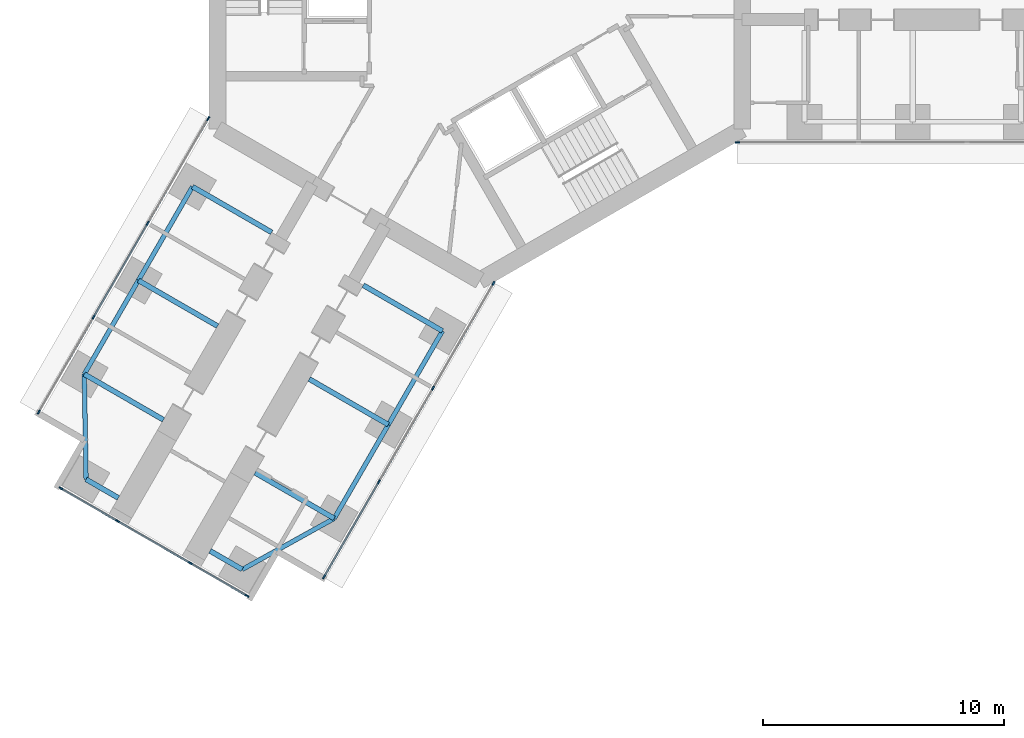
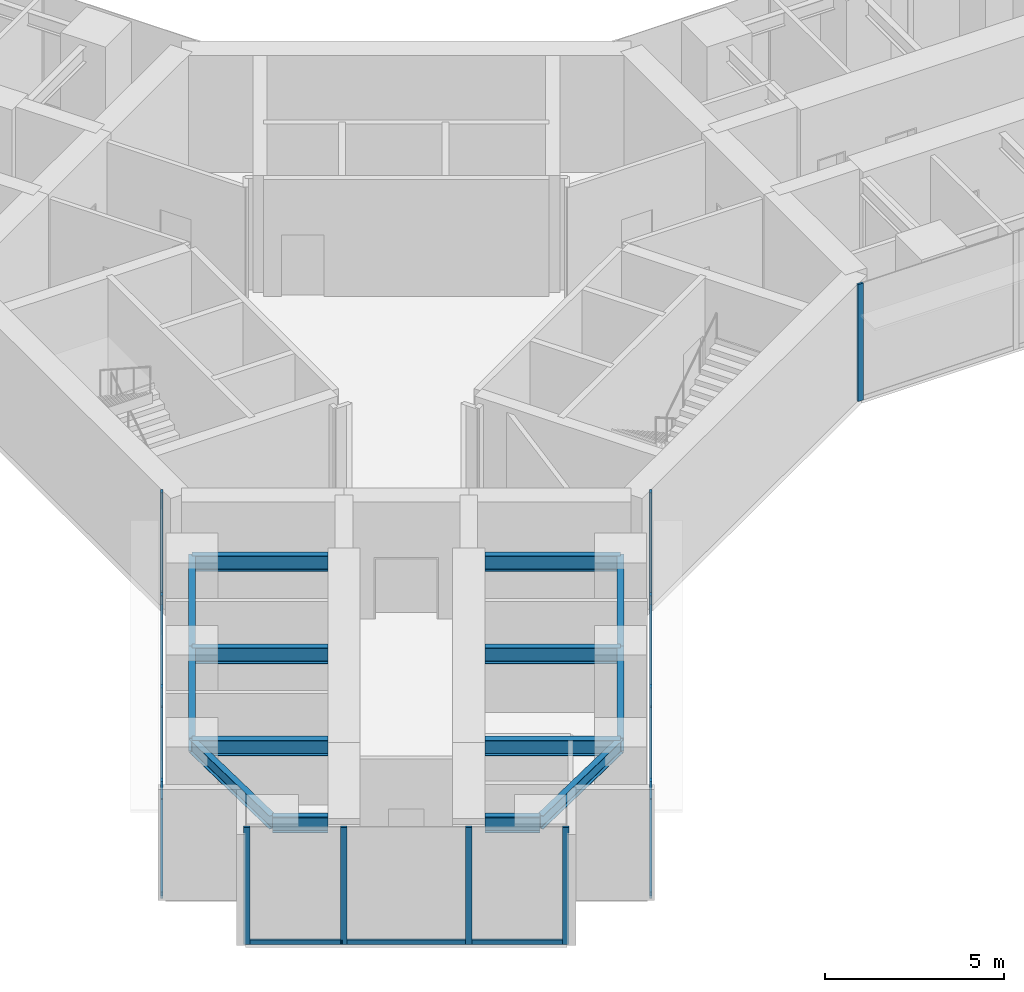
# One storey, part 2 of 24: 22 members, 14 beams, 4 elements without a shape of their own.
"""IFC4 building model written with IfcOpenShell, lengths in metres."""

from ifc_helpers import new_model, si_unit, direction, frame, origin, origin_2d, place, context, subcontext, project, spatial, rectangle, i_section, extrude, material, material_profile, profile_set, type_object, element, aggregate, save


model = new_model("IFC4")

# Units and contexts
model_context = context("Model", 3, precision=1e-05, world=origin(), true_north=direction((0.0, 1.0)))
body_context = subcontext(model_context, "Body", "Model", "MODEL_VIEW")
ifc_project = project(units=[si_unit("LENGTHUNIT", "METRE"), si_unit("AREAUNIT", "SQUARE_METRE"), si_unit("VOLUMEUNIT", "CUBIC_METRE"), si_unit("PLANEANGLEUNIT", "RADIAN"), si_unit("MASSUNIT", "GRAM", prefix="KILO")], contexts=[model_context])

# Site, building, storey
site_placement = place(None, origin())
site = spatial("IfcSite", under=ifc_project, at=site_placement, CompositionType="ELEMENT")
building_placement = place(site_placement, origin())
building = spatial("IfcBuilding", under=site, at=building_placement, Name="Upepo Twin Towers", CompositionType="ELEMENT")
storey_placement = place(building_placement, frame((0.0, 0.0, 56.5)))
storey = spatial("IfcBuildingStorey", under=building, at=storey_placement, Name="L13", CompositionType="ELEMENT", Elevation=56.5)

# Beams
ifc_material_1 = material(Name="Steel S355", Category="steel")
ifc_material_profile_1 = material_profile(ifc_material_1, i_section(OverallWidth=0.1904296875, OverallDepth=0.45703125, WebThickness=0.009033203125, FlangeThickness=0.014404296875, FilletRadius=0.01025390625, at=origin_2d()), Name="UB 457x191x74")
ifc_profile_set_1 = profile_set([ifc_material_profile_1], Name="Steel S355")
beam_type_1 = type_object("IfcBeamType", Name="Beam UB 457x191x74", PredefinedType="BEAM", material=ifc_profile_set_1)
beam_1_placement = place(storey_placement, frame((-1.553955078125, -14.69140625, 3.571533203125), z_axis=(-0.500013631625, -0.866017533419, 0.0), x_axis=(0.866017533419, -0.500013631625, 0.0)))
element("IfcBeam", 1, at=beam_1_placement, inside=storey, type_object=beam_type_1, Name="T1 edge beam CL 13.5-18.0", PredefinedType="BEAM", context=body_context, shape_type="SweptSolid", body=[
    extrude(i_section(OverallWidth=0.1904296875, OverallDepth=0.45703125, WebThickness=0.009033203125, FlangeThickness=0.014404296875, FilletRadius=0.01025390625, at=origin_2d()), origin(), (0.0, 0.0, 1.0), 4.499755859375),
])
beam_2_placement = place(storey_placement, frame((-3.803955078125, -18.58837890625, 3.571533203125), z_axis=(-0.499990139034, -0.866031096941, 0.0), x_axis=(0.866031096941, -0.499990139034, 0.0)))
element("IfcBeam", 2, at=beam_2_placement, inside=storey, type_object=beam_type_1, Name="T1 edge beam CL 18.0-22.5", PredefinedType="BEAM", context=body_context, shape_type="SweptSolid", body=[
    extrude(i_section(OverallWidth=0.1904296875, OverallDepth=0.45703125, WebThickness=0.009033203125, FlangeThickness=0.014404296875, FilletRadius=0.01025390625, at=origin_2d()), origin(), (0.0, 0.0, 1.0), 4.5),
])
beam_3_placement = place(storey_placement, frame((-6.053955078125, -22.485595703125, 3.571533203125), z_axis=(-0.874312600038, -0.485363242752, 0.0), x_axis=(0.485363242752, -0.874312600038, 0.0)))
element("IfcBeam", 3, at=beam_3_placement, inside=storey, type_object=beam_type_1, Name="T1 nose edge beam CL", PredefinedType="BEAM", context=body_context, shape_type="SweptSolid", body=[
    extrude(i_section(OverallWidth=0.1904296875, OverallDepth=0.45703125, WebThickness=0.009033203125, FlangeThickness=0.014404296875, FilletRadius=0.01025390625, at=origin_2d()), origin(), (0.0, 0.0, 1.0), 4.373046875),
])
beam_4_placement = place(storey_placement, frame((-11.946044921875, -8.69140625, 3.571533203125), z_axis=(-0.500013631625, -0.866017533419, 0.0), x_axis=(0.866017533419, -0.500013631625, 0.0)))
element("IfcBeam", 4, at=beam_4_placement, inside=storey, type_object=beam_type_1, Name="T1 edge beam CR 13.5-18.0", PredefinedType="BEAM", context=body_context, shape_type="SweptSolid", body=[
    extrude(i_section(OverallWidth=0.1904296875, OverallDepth=0.45703125, WebThickness=0.009033203125, FlangeThickness=0.014404296875, FilletRadius=0.01025390625, at=origin_2d()), origin(), (0.0, 0.0, 1.0), 4.499755859375),
])
beam_5_placement = place(storey_placement, frame((-14.196044921875, -12.58837890625, 3.571533203125), z_axis=(-0.499990139034, -0.866031096941, 0.0), x_axis=(0.866031096941, -0.499990139034, 0.0)))
element("IfcBeam", 5, at=beam_5_placement, inside=storey, type_object=beam_type_1, Name="T1 edge beam CR 18.0-22.5", PredefinedType="BEAM", context=body_context, shape_type="SweptSolid", body=[
    extrude(i_section(OverallWidth=0.1904296875, OverallDepth=0.45703125, WebThickness=0.009033203125, FlangeThickness=0.014404296875, FilletRadius=0.01025390625, at=origin_2d()), origin(), (0.0, 0.0, 1.0), 4.5),
])
beam_6_placement = place(storey_placement, frame((-16.446044921875, -16.485595703125, 3.571533203125), z_axis=(0.016803880528, -0.999858804832, 0.0), x_axis=(0.999858804832, 0.016803880528, 0.0)))
element("IfcBeam", 6, at=beam_6_placement, inside=storey, type_object=beam_type_1, Name="T1 nose edge beam CR", PredefinedType="BEAM", context=body_context, shape_type="SweptSolid", body=[
    extrude(i_section(OverallWidth=0.1904296875, OverallDepth=0.45703125, WebThickness=0.009033203125, FlangeThickness=0.014404296875, FilletRadius=0.01025390625, at=origin_2d()), origin(), (0.0, 0.0, 1.0), 4.373291015625),
])
ifc_material_2 = material(Name="Steel S355", Category="steel")
ifc_material_profile_2 = material_profile(ifc_material_2, i_section(OverallWidth=0.2119140625, OverallDepth=0.54443359375, WebThickness=0.0126953125, FlangeThickness=0.021240234375, FilletRadius=0.0126953125, at=origin_2d()), Name="UB 533x210x122")
ifc_profile_set_2 = profile_set([ifc_material_profile_2], Name="Steel S355")
beam_type_2 = type_object("IfcBeamType", Name="Beam UB 533x210x122", PredefinedType="BEAM", material=ifc_profile_set_2)
for number, where, z_axis, x_axis, name in (
    (7, (-9.87744140625, -24.608154296875, 3.52783203125), (-0.866043940782, 0.499967891604, 0.0), (-0.499967891604, -0.866043940782, 0.0), "T1 nose beam CL"),
    (8, (-16.37255859375, -20.858154296875, 3.52783203125), (0.866043940782, -0.499967891604, 0.0), (0.499967891604, 0.866043940782, 0.0), "T1 nose beam CR"),
):
    element("IfcBeam", number, at=place(storey_placement, frame(where, z_axis=z_axis, x_axis=x_axis)), inside=storey, type_object=beam_type_2, Name=name, PredefinedType="BEAM", context=body_context, shape_type="SweptSolid", body=[
        extrude(i_section(OverallWidth=0.2119140625, OverallDepth=0.54443359375, WebThickness=0.0126953125, FlangeThickness=0.021240234375, FilletRadius=0.0126953125, at=origin_2d()), origin(), (0.0, 0.0, 1.0), 1.5498046875),
    ])
ifc_material_3 = material(Name="Steel S355", Category="steel")
ifc_material_profile_3 = material_profile(ifc_material_3, i_section(OverallWidth=0.209228515625, OverallDepth=0.533203125, WebThickness=0.010009765625, FlangeThickness=0.015625, FilletRadius=0.0126953125, at=origin_2d()), Name="UB 533x210x92")
ifc_profile_set_3 = profile_set([ifc_material_profile_3], Name="Steel S355")
beam_type_3 = type_object("IfcBeamType", Name="Beam UB 533x210x92", PredefinedType="BEAM", material=ifc_profile_set_3)
beam_7_placement = place(storey_placement, frame((-1.553955078125, -14.69140625, 3.533447265625), z_axis=(-0.866000483506, 0.500043160704, 0.0), x_axis=(-0.500043160704, -0.866000483506, 0.0)))
element("IfcBeam", 9, at=beam_7_placement, inside=storey, type_object=beam_type_3, Name="T1 girder CL at 13.5", PredefinedType="BEAM", context=body_context, shape_type="SweptSolid", body=[
    extrude(i_section(OverallWidth=0.209228515625, OverallDepth=0.533203125, WebThickness=0.010009765625, FlangeThickness=0.015625, FilletRadius=0.0126953125, at=origin_2d()), origin(), (0.0, 0.0, 1.0), 3.800048828125),
])
for number, where, z_axis, x_axis, name in (
    (10, (-3.803955078125, -18.58837890625, 3.533447265625), (-0.866028304915, 0.499994975061, 0.0), (-0.499994975061, -0.866028304915, 0.0), "T1 girder CL at 18.0"),
    (11, (-6.053955078125, -22.485595703125, 3.533447265625), (-0.866028304915, 0.499994975061, 0.0), (-0.499994975061, -0.866028304915, 0.0), "T1 girder CL at 22.5"),
    (12, (-11.946044921875, -8.69140625, 3.533447265625), (0.866028304915, -0.499994975061, 0.0), (0.499994975061, 0.866028304915, 0.0), "T1 girder CR at 13.5"),
):
    element("IfcBeam", number, at=place(storey_placement, frame(where, z_axis=z_axis, x_axis=x_axis)), inside=storey, type_object=beam_type_3, Name=name, PredefinedType="BEAM", context=body_context, shape_type="SweptSolid", body=[
        extrude(i_section(OverallWidth=0.209228515625, OverallDepth=0.533203125, WebThickness=0.010009765625, FlangeThickness=0.015625, FilletRadius=0.0126953125, at=origin_2d()), origin(), (0.0, 0.0, 1.0), 3.7998046875),
    ])
beam_8_placement = place(storey_placement, frame((-14.196044921875, -12.58837890625, 3.533447265625), z_axis=(0.866000483506, -0.500043160704, 0.0), x_axis=(0.500043160704, 0.866000483506, 0.0)))
element("IfcBeam", 13, at=beam_8_placement, inside=storey, type_object=beam_type_3, Name="T1 girder CR at 18.0", PredefinedType="BEAM", context=body_context, shape_type="SweptSolid", body=[
    extrude(i_section(OverallWidth=0.209228515625, OverallDepth=0.533203125, WebThickness=0.010009765625, FlangeThickness=0.015625, FilletRadius=0.0126953125, at=origin_2d()), origin(), (0.0, 0.0, 1.0), 3.800048828125),
])
beam_9_placement = place(storey_placement, frame((-16.446044921875, -16.485595703125, 3.533447265625), z_axis=(0.866028304915, -0.499994975061, 0.0), x_axis=(0.499994975061, 0.866028304915, 0.0)))
element("IfcBeam", 14, at=beam_9_placement, inside=storey, type_object=beam_type_3, Name="T1 girder CR at 22.5", PredefinedType="BEAM", context=body_context, shape_type="SweptSolid", body=[
    extrude(i_section(OverallWidth=0.209228515625, OverallDepth=0.533203125, WebThickness=0.010009765625, FlangeThickness=0.015625, FilletRadius=0.0126953125, at=origin_2d()), origin(), (0.0, 0.0, 1.0), 3.7998046875),
])

# Curtain wall, member
ifc_material_4 = material(Name="Aluminium and fritted glass", Category="aluminium")
curtain_wall_type = type_object("IfcCurtainWallType", Name="Tower curtain wall TW1, fritted glass", PredefinedType="NOTDEFINED", material=ifc_material_4)
curtain_wall_1_placement = place(storey_placement, origin())
curtain_wall_1 = element("IfcCurtainWall", 15, at=curtain_wall_1_placement, inside=storey, type_object=curtain_wall_type, Name="T1 L13 wing A flank R curtain wall", PredefinedType="NOTDEFINED")
ifc_material_5 = material(Name="Aluminium mullion", Category="aluminium")
ifc_material_profile_4 = material_profile(ifc_material_5, rectangle(XDim=0.06494140625, YDim=0.179931640625, at=origin_2d()), Name="MULLION 65x180")
ifc_profile_set_4 = profile_set([ifc_material_profile_4], Name="Aluminium mullion")
member_type_1 = type_object("IfcMemberType", Name="Mullion 65x180 TW1", PredefinedType="MULLION", material=ifc_profile_set_4)
member_1_placement = place(storey_placement, frame((10.7197265625, -6.85009765625, 0.0), z_axis=(0.0, 0.0, 1.0), x_axis=(0.0, -1.0, 0.0)))
member_1 = element("IfcMember", 16, at=member_1_placement, type_object=member_type_1, Name="T1 L13 wing A flank R curtain wall mullion 4", PredefinedType="MULLION", context=body_context, shape_type="SweptSolid", body=[
    extrude(rectangle(XDim=0.06494140625, YDim=0.179931640625, at=origin_2d()), origin(), (0.0, 0.0, 1.0), 4.0),
])
aggregate(curtain_wall_1, [member_1])

# Curtain wall, members
curtain_wall_2_placement = place(storey_placement, origin())
curtain_wall_2 = element("IfcCurtainWall", 17, at=curtain_wall_2_placement, inside=storey, type_object=curtain_wall_type, Name="T1 L13 wing C flank L curtain wall", PredefinedType="NOTDEFINED")
member_2_placement = place(storey_placement, frame((0.572509765625, -12.70849609375, 0.0), z_axis=(0.0, 0.0, 1.0), x_axis=(0.866025389682, -0.500000024426, 0.0)))
member_2 = element("IfcMember", 18, at=member_2_placement, type_object=member_type_1, Name="T1 L13 wing C flank L curtain wall mullion 1", PredefinedType="MULLION", context=body_context, shape_type="SweptSolid", body=[
    extrude(rectangle(XDim=0.06494140625, YDim=0.179931640625, at=origin_2d()), origin(), (0.0, 0.0, 1.0), 4.0),
])
member_3_placement = place(storey_placement, frame((-1.942626953125, -17.06494140625, 0.0), z_axis=(0.0, 0.0, 1.0), x_axis=(0.866025389682, -0.500000024426, 0.0)))
member_3 = element("IfcMember", 19, at=member_3_placement, type_object=member_type_1, Name="T1 L13 wing C flank L curtain wall mullion 2", PredefinedType="MULLION", context=body_context, shape_type="SweptSolid", body=[
    extrude(rectangle(XDim=0.06494140625, YDim=0.179931640625, at=origin_2d()), origin(), (0.0, 0.0, 1.0), 4.0),
])
member_4_placement = place(storey_placement, frame((-4.192626953125, -20.9619140625, 0.0), z_axis=(0.0, 0.0, 1.0), x_axis=(0.866025389682, -0.500000024426, 0.0)))
member_4 = element("IfcMember", 20, at=member_4_placement, type_object=member_type_1, Name="T1 L13 wing C flank L curtain wall mullion 3", PredefinedType="MULLION", context=body_context, shape_type="SweptSolid", body=[
    extrude(rectangle(XDim=0.06494140625, YDim=0.179931640625, at=origin_2d()), origin(), (0.0, 0.0, 1.0), 4.0),
])
member_5_placement = place(storey_placement, frame((-6.4765625, -24.91748046875, 0.0), z_axis=(0.0, 0.0, 1.0), x_axis=(0.866025389682, -0.500000024426, 0.0)))
member_5 = element("IfcMember", 21, at=member_5_placement, type_object=member_type_1, Name="T1 L13 wing C flank L curtain wall mullion 4", PredefinedType="MULLION", context=body_context, shape_type="SweptSolid", body=[
    extrude(rectangle(XDim=0.06494140625, YDim=0.179931640625, at=origin_2d()), origin(), (0.0, 0.0, 1.0), 4.0),
])

curtain_wall_3_placement = place(storey_placement, origin())
curtain_wall_3 = element("IfcCurtainWall", 22, at=curtain_wall_3_placement, inside=storey, type_object=curtain_wall_type, Name="T1 L13 wing C flank R curtain wall", PredefinedType="NOTDEFINED")
member_6_placement = place(storey_placement, frame((-18.341064453125, -18.067626953125, 0.0), z_axis=(0.0, 0.0, 1.0), x_axis=(-0.866025389682, 0.500000024426, 0.0)))
member_6 = element("IfcMember", 23, at=member_6_placement, type_object=member_type_1, Name="T1 L13 wing C flank R curtain wall mullion 1", PredefinedType="MULLION", context=body_context, shape_type="SweptSolid", body=[
    extrude(rectangle(XDim=0.06494140625, YDim=0.179931640625, at=origin_2d()), origin(), (0.0, 0.0, 1.0), 4.0),
])
member_7_placement = place(storey_placement, frame((-16.057373046875, -14.112060546875, 0.0), z_axis=(0.0, 0.0, 1.0), x_axis=(-0.866025389682, 0.500000024426, 0.0)))
member_7 = element("IfcMember", 24, at=member_7_placement, type_object=member_type_1, Name="T1 L13 wing C flank R curtain wall mullion 2", PredefinedType="MULLION", context=body_context, shape_type="SweptSolid", body=[
    extrude(rectangle(XDim=0.06494140625, YDim=0.179931640625, at=origin_2d()), origin(), (0.0, 0.0, 1.0), 4.0),
])
member_8_placement = place(storey_placement, frame((-13.807373046875, -10.21484375, 0.0), z_axis=(0.0, 0.0, 1.0), x_axis=(-0.866025389682, 0.500000024426, 0.0)))
member_8 = element("IfcMember", 25, at=member_8_placement, type_object=member_type_1, Name="T1 L13 wing C flank R curtain wall mullion 3", PredefinedType="MULLION", context=body_context, shape_type="SweptSolid", body=[
    extrude(rectangle(XDim=0.06494140625, YDim=0.179931640625, at=origin_2d()), origin(), (0.0, 0.0, 1.0), 4.0),
])
member_9_placement = place(storey_placement, frame((-11.2919921875, -5.8583984375, 0.0), z_axis=(0.0, 0.0, 1.0), x_axis=(-0.866025389682, 0.500000024426, 0.0)))
member_9 = element("IfcMember", 26, at=member_9_placement, type_object=member_type_1, Name="T1 L13 wing C flank R curtain wall mullion 4", PredefinedType="MULLION", context=body_context, shape_type="SweptSolid", body=[
    extrude(rectangle(XDim=0.06494140625, YDim=0.179931640625, at=origin_2d()), origin(), (0.0, 0.0, 1.0), 4.0),
])

curtain_wall_4_placement = place(storey_placement, origin())
curtain_wall_4 = element("IfcCurtainWall", 27, at=curtain_wall_4_placement, inside=storey, type_object=curtain_wall_type, Name="T1 L13 wing C nose curtain wall", PredefinedType="NOTDEFINED")
member_10_placement = place(storey_placement, frame((-17.4189453125, -21.235595703125, 0.0), z_axis=(0.0, 0.0, 1.0), x_axis=(0.500000030502, 0.866025386174, 0.0)))
member_10 = element("IfcMember", 28, at=member_10_placement, type_object=member_type_1, Name="T1 L13 wing C nose curtain wall mullion 1", PredefinedType="MULLION", context=body_context, shape_type="SweptSolid", body=[
    extrude(rectangle(XDim=0.06494140625, YDim=0.179931640625, at=origin_2d()), origin(), (0.0, 0.0, 1.0), 4.0),
])
member_11_placement = place(storey_placement, frame((-15.0654296875, -22.59423828125, 0.0), z_axis=(0.0, 0.0, 1.0), x_axis=(0.500000030502, 0.866025386174, 0.0)))
member_11 = element("IfcMember", 29, at=member_11_placement, type_object=member_type_1, Name="T1 L13 wing C nose curtain wall mullion 2", PredefinedType="MULLION", context=body_context, shape_type="SweptSolid", body=[
    extrude(rectangle(XDim=0.06494140625, YDim=0.179931640625, at=origin_2d()), origin(), (0.0, 0.0, 1.0), 4.0),
])
member_12_placement = place(storey_placement, frame((-12.034423828125, -24.34423828125, 0.0), z_axis=(0.0, 0.0, 1.0), x_axis=(0.500000030502, 0.866025386174, 0.0)))
member_12 = element("IfcMember", 30, at=member_12_placement, type_object=member_type_1, Name="T1 L13 wing C nose curtain wall mullion 3", PredefinedType="MULLION", context=body_context, shape_type="SweptSolid", body=[
    extrude(rectangle(XDim=0.06494140625, YDim=0.179931640625, at=origin_2d()), origin(), (0.0, 0.0, 1.0), 4.0),
])
member_13_placement = place(storey_placement, frame((-9.68115234375, -25.703125, 0.0), z_axis=(0.0, 0.0, 1.0), x_axis=(0.500000030502, 0.866025386174, 0.0)))
member_13 = element("IfcMember", 31, at=member_13_placement, type_object=member_type_1, Name="T1 L13 wing C nose curtain wall mullion 4", PredefinedType="MULLION", context=body_context, shape_type="SweptSolid", body=[
    extrude(rectangle(XDim=0.06494140625, YDim=0.179931640625, at=origin_2d()), origin(), (0.0, 0.0, 1.0), 4.0),
])

# Member
ifc_material_6 = material(Name="Aluminium transom", Category="aluminium")
ifc_material_profile_5 = material_profile(ifc_material_6, rectangle(XDim=0.06494140625, YDim=0.14990234375, at=origin_2d()), Name="TRANSOM 65x150")
ifc_profile_set_5 = profile_set([ifc_material_profile_5], Name="Aluminium transom")
member_type_2 = type_object("IfcMemberType", Name="Transom 65x150 TW1", PredefinedType="USERDEFINED", material=ifc_profile_set_5)
member_14_placement = place(storey_placement, frame((0.55615234375, -12.736572265625, 0.074951171875), z_axis=(-0.499983492876, -0.866034933967, 0.0), x_axis=(0.866034933967, -0.499983492876, 0.0)))
member_14 = element("IfcMember", 32, at=member_14_placement, type_object=member_type_2, Name="T1 L13 wing C flank L curtain wall transom 1", ObjectType="TRANSOM", PredefinedType="USERDEFINED", context=body_context, shape_type="SweptSolid", body=[
    extrude(rectangle(XDim=0.06494140625, YDim=0.14990234375, at=origin_2d()), origin(), (0.0, 0.0, 1.0), 4.965576171875),
])

member_15_placement = place(storey_placement, frame((-1.958984375, -17.093017578125, 0.074951171875), z_axis=(-0.500005184116, -0.866022410713, 0.0), x_axis=(0.866022410713, -0.500005184116, 0.0)))
member_15 = element("IfcMember", 33, at=member_15_placement, type_object=member_type_2, Name="T1 L13 wing C flank L curtain wall transom 2", ObjectType="TRANSOM", PredefinedType="USERDEFINED", context=body_context, shape_type="SweptSolid", body=[
    extrude(rectangle(XDim=0.06494140625, YDim=0.14990234375, at=origin_2d()), origin(), (0.0, 0.0, 1.0), 4.43505859375),
])

member_16_placement = place(storey_placement, frame((-4.208984375, -20.990234375, 0.074951171875), z_axis=(-0.500005646842, -0.866022143554, 0.0), x_axis=(0.866022143554, -0.500005646842, 0.0)))
member_16 = element("IfcMember", 34, at=member_16_placement, type_object=member_type_2, Name="T1 L13 wing C flank L curtain wall transom 3", ObjectType="TRANSOM", PredefinedType="USERDEFINED", context=body_context, shape_type="SweptSolid", body=[
    extrude(rectangle(XDim=0.06494140625, YDim=0.14990234375, at=origin_2d()), origin(), (0.0, 0.0, 1.0), 4.50244140625),
])

aggregate(curtain_wall_2, [member_2, member_3, member_4, member_5, member_14, member_15, member_16])

member_17_placement = place(storey_placement, frame((-18.32470703125, -18.03955078125, 0.074951171875), z_axis=(0.499982167615, 0.866035699072, 0.0), x_axis=(-0.866035699072, 0.499982167615, 0.0)))
member_17 = element("IfcMember", 35, at=member_17_placement, type_object=member_type_2, Name="T1 L13 wing C flank R curtain wall transom 1", ObjectType="TRANSOM", PredefinedType="USERDEFINED", context=body_context, shape_type="SweptSolid", body=[
    extrude(rectangle(XDim=0.06494140625, YDim=0.14990234375, at=origin_2d()), origin(), (0.0, 0.0, 1.0), 4.502685546875),
])

member_18_placement = place(storey_placement, frame((-16.041015625, -14.083984375, 0.074951171875), z_axis=(0.500005184116, 0.866022410713, 0.0), x_axis=(-0.866022410713, 0.500005184116, 0.0)))
member_18 = element("IfcMember", 36, at=member_18_placement, type_object=member_type_2, Name="T1 L13 wing C flank R curtain wall transom 2", ObjectType="TRANSOM", PredefinedType="USERDEFINED", context=body_context, shape_type="SweptSolid", body=[
    extrude(rectangle(XDim=0.06494140625, YDim=0.14990234375, at=origin_2d()), origin(), (0.0, 0.0, 1.0), 4.43505859375),
])

member_19_placement = place(storey_placement, frame((-13.791015625, -10.186767578125, 0.074951171875), z_axis=(0.50000478328, 0.866022642139, 0.0), x_axis=(-0.866022642139, 0.50000478328, 0.0)))
member_19 = element("IfcMember", 37, at=member_19_placement, type_object=member_type_2, Name="T1 L13 wing C flank R curtain wall transom 3", ObjectType="TRANSOM", PredefinedType="USERDEFINED", context=body_context, shape_type="SweptSolid", body=[
    extrude(rectangle(XDim=0.06494140625, YDim=0.14990234375, at=origin_2d()), origin(), (0.0, 0.0, 1.0), 4.96533203125),
])

aggregate(curtain_wall_3, [member_6, member_7, member_8, member_9, member_17, member_18, member_19])

member_20_placement = place(storey_placement, frame((-17.390869140625, -21.251708984375, 0.074951171875), z_axis=(0.865997053448, -0.500049101008, 0.0), x_axis=(0.500049101008, 0.865997053448, 0.0)))
member_20 = element("IfcMember", 38, at=member_20_placement, type_object=member_type_2, Name="T1 L13 wing C nose curtain wall transom 1", ObjectType="TRANSOM", PredefinedType="USERDEFINED", context=body_context, shape_type="SweptSolid", body=[
    extrude(rectangle(XDim=0.06494140625, YDim=0.14990234375, at=origin_2d()), origin(), (0.0, 0.0, 1.0), 2.652587890625),
])

member_21_placement = place(storey_placement, frame((-15.037353515625, -22.610595703125, 0.074951171875), z_axis=(0.866025804792, -0.499999305434, 0.0), x_axis=(0.499999305434, 0.866025804792, 0.0)))
member_21 = element("IfcMember", 39, at=member_21_placement, type_object=member_type_2, Name="T1 L13 wing C nose curtain wall transom 2", ObjectType="TRANSOM", PredefinedType="USERDEFINED", context=body_context, shape_type="SweptSolid", body=[
    extrude(rectangle(XDim=0.06494140625, YDim=0.14990234375, at=origin_2d()), origin(), (0.0, 0.0, 1.0), 3.43505859375),
])

member_22_placement = place(storey_placement, frame((-12.00634765625, -24.360595703125, 0.074951171875), z_axis=(0.866036909293, -0.499980071345, 0.0), x_axis=(0.499980071345, 0.866036909293, 0.0)))
member_22 = element("IfcMember", 40, at=member_22_placement, type_object=member_type_2, Name="T1 L13 wing C nose curtain wall transom 3", ObjectType="TRANSOM", PredefinedType="USERDEFINED", context=body_context, shape_type="SweptSolid", body=[
    extrude(rectangle(XDim=0.06494140625, YDim=0.14990234375, at=origin_2d()), origin(), (0.0, 0.0, 1.0), 2.65234375),
])

aggregate(curtain_wall_4, [member_10, member_11, member_12, member_13, member_20, member_21, member_22])

save(model, "model.ifc")
